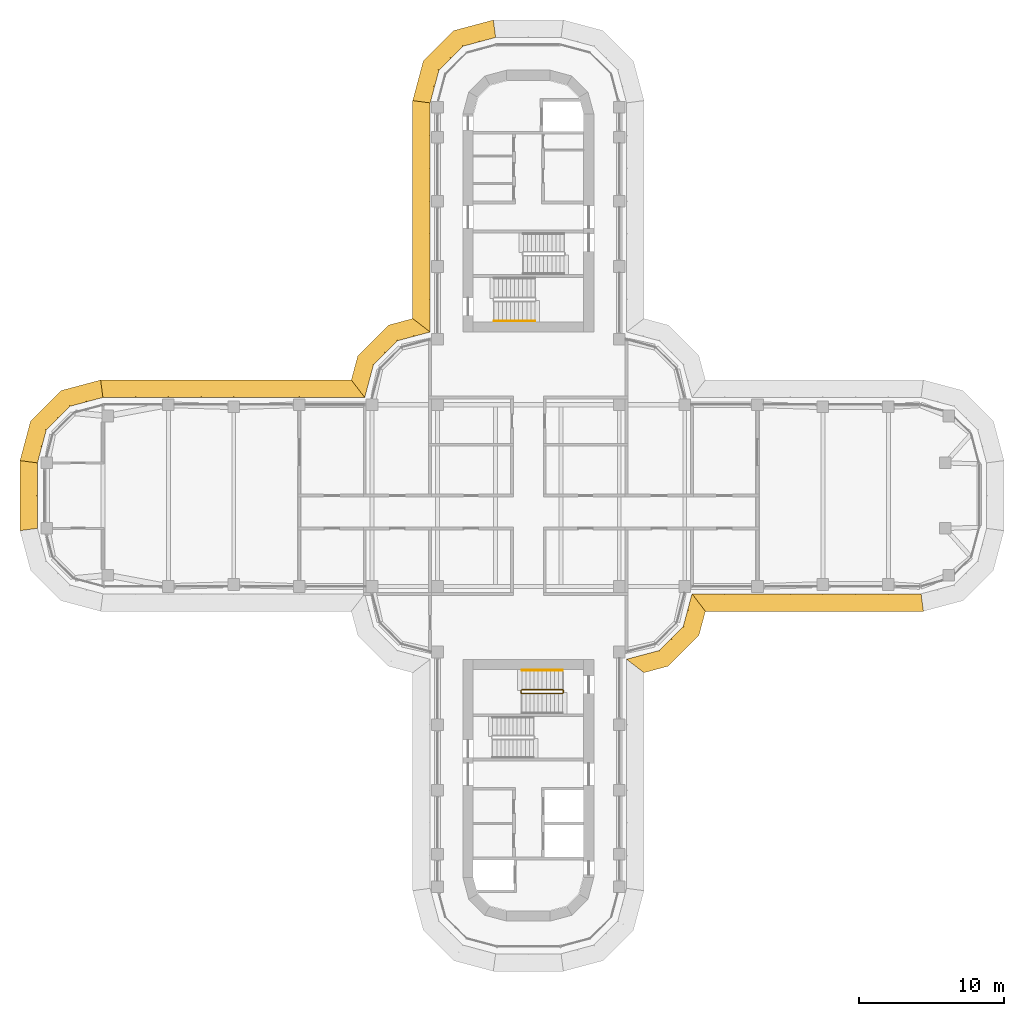
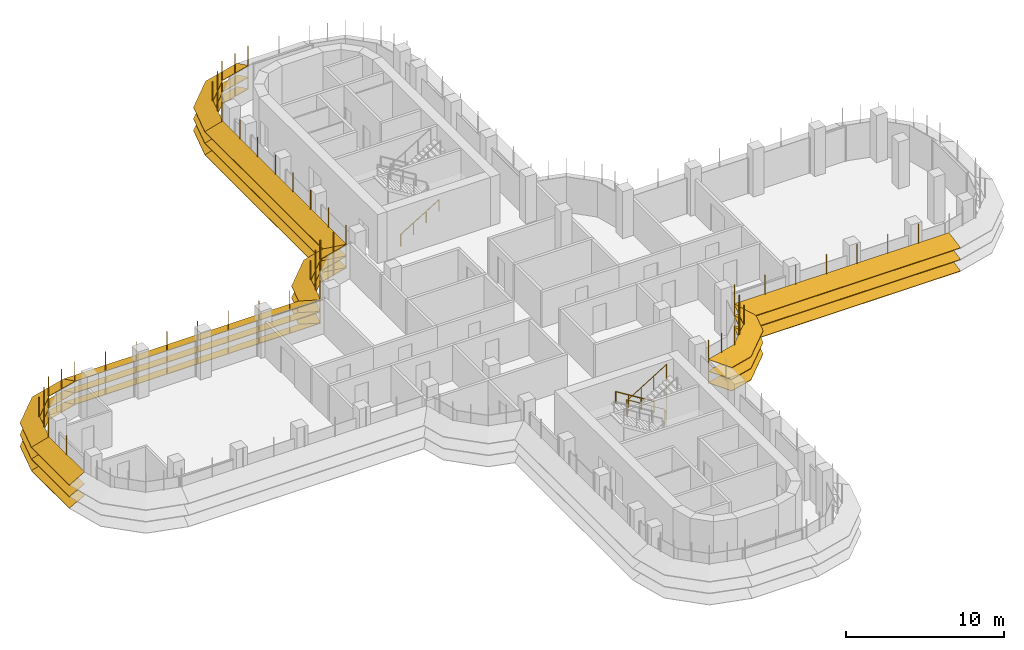
# One storey, part 18 of 20: 8 shading devices, 3 railings.
"""IFC4 building model written with IfcOpenShell, lengths in metres."""

import ifcopenshell
import ifcopenshell.guid

model = None  # the IFC model being written
_history = None  # IfcOwnerHistory: only IFC2X3 demands one
_inside = {}  # id of a spatial element -> (the spatial element, [elements in it])
_under = {}  # id of a project, library or spatial element -> (it, [spatial elements below it])
_declared = {}  # id of a project -> (the project, [libraries it declares])
_typed = {}  # id of a type object -> (the type object, [elements of that type])
_made_of = {}  # id of a material, layer set ... -> (it, [elements and type objects made of it])


def new_model(schema):
    """Start an empty IFC model of exactly this schema.

    Asked for "IFC4X3", IfcOpenShell would pick the latest addendum, in which some entities
    have other attributes; the version numbers below select the first issue.
    IFC2X3 requires an IfcOwnerHistory on every rooted entity: one is made here for all.
    """
    global model, _history
    if schema == "IFC4X3":
        model = ifcopenshell.file(schema_version=(4, 3, 0, 0))
    else:
        model = ifcopenshell.file(schema=schema)
    _inside.clear()
    _under.clear()
    _declared.clear()
    _typed.clear()
    _made_of.clear()
    _history = None
    if model.schema == "IFC2X3":
        org = make("IfcOrganization", Name="unknown")
        user = make(
            "IfcPersonAndOrganization",
            ThePerson=make("IfcPerson", FamilyName="unknown"),
            TheOrganization=org,
        )
        app = make(
            "IfcApplication",
            ApplicationDeveloper=org,
            Version="unknown",
            ApplicationFullName="unknown",
            ApplicationIdentifier="unknown",
        )
        _history = make(
            "IfcOwnerHistory",
            OwningUser=user,
            OwningApplication=app,
            ChangeAction="ADDED",
            CreationDate=0,
        )
    return model


def make(cls, **values):
    """One entity of the class cls with the attributes given. An attribute that is None is left unset."""
    return model.create_entity(
        cls, **{name: value for name, value in values.items() if value is not None}
    )


def rooted(cls, **values):
    """An entity with a GlobalId (a new one), such as an element, a storey or a relation."""
    return make(cls, GlobalId=ifcopenshell.guid.new(), OwnerHistory=_history, **values)


def si_unit(unit_type, name, prefix=None):
    """IfcSIUnit, for example si_unit("LENGTHUNIT", "METRE", prefix="MILLI")."""
    return make("IfcSIUnit", UnitType=unit_type, Prefix=prefix, Name=name)


def assignment(units):
    """IfcUnitAssignment: the units of a project."""
    return None if units is None else make("IfcUnitAssignment", Units=units)


def point(xyz):
    """IfcCartesianPoint."""
    return None if xyz is None else make("IfcCartesianPoint", Coordinates=xyz)


def direction(xyz):
    """IfcDirection."""
    return None if xyz is None else make("IfcDirection", DirectionRatios=xyz)


def frame(location, z_axis=None, x_axis=None):
    """IfcAxis2Placement3D, a coordinate frame: its origin and axes. An axis left out is left unset."""
    return make(
        "IfcAxis2Placement3D",
        Location=point(location),
        Axis=direction(z_axis),
        RefDirection=direction(x_axis),
    )


def frame_2d(location, x_axis=None):
    """IfcAxis2Placement2D, a coordinate frame in the plane: its origin and x axis."""
    return make(
        "IfcAxis2Placement2D", Location=point(location), RefDirection=direction(x_axis)
    )


def origin():
    """The frame at (0, 0, 0) with its axes left unset."""
    return frame((0.0, 0.0, 0.0))


def origin_2d():
    """The frame at (0, 0) in the plane with its x axis left unset."""
    return frame_2d((0.0, 0.0))


def place(relative_to, where):
    """IfcLocalPlacement: puts the frame where relative to a parent placement (None: the world)."""
    return make(
        "IfcLocalPlacement", PlacementRelTo=relative_to, RelativePlacement=where
    )


def context(
    kind, dimensions, precision=None, world=None, true_north=None, identifier=None
):
    """IfcGeometricRepresentationContext, for example the 3D "Model" context."""
    return make(
        "IfcGeometricRepresentationContext",
        ContextIdentifier=identifier,
        ContextType=kind,
        CoordinateSpaceDimension=dimensions,
        Precision=precision,
        WorldCoordinateSystem=world,
        TrueNorth=true_north,
    )


def subcontext(parent, identifier, kind, view, scale=None):
    """IfcGeometricRepresentationSubContext, for example "Body" below "Model"."""
    return make(
        "IfcGeometricRepresentationSubContext",
        ContextIdentifier=identifier,
        ContextType=kind,
        ParentContext=parent,
        TargetScale=scale,
        TargetView=view,
    )


def project(units=None, contexts=None):
    """IfcProject with its units and contexts."""
    return rooted(
        "IfcProject",
        Name="project",
        RepresentationContexts=contexts,
        UnitsInContext=assignment(units),
    )


def spatial(cls, under=None, at=None, **own):
    """A site, building, storey or space (cls), placed at a placement, below another one or the project."""
    s = rooted(cls, ObjectPlacement=at, **own)
    if under is not None:
        _under.setdefault(under.id(), (under, []))[1].append(s)
    return s


def polyline(points):
    """IfcPolyline through the points."""
    return make("IfcPolyline", Points=[point(p) for p in points])


def profile(cls, at=None, kind="AREA", **sizes):
    """A parametric profile (cls). Its sizes go by their IFC names, for example OverallWidth=200.0."""
    return make(cls, ProfileType=kind, Position=at, **sizes)


def circle(**sizes):
    """IfcCircleProfileDef."""
    return profile("IfcCircleProfileDef", **sizes)


def outline(outer, holes=None, kind="AREA"):
    """IfcArbitraryClosedProfileDef: a profile drawn as a closed curve; with holes, ...WithVoids."""
    if holes is None:
        return make("IfcArbitraryClosedProfileDef", ProfileType=kind, OuterCurve=outer)
    return make(
        "IfcArbitraryProfileDefWithVoids",
        ProfileType=kind,
        OuterCurve=outer,
        InnerCurves=holes,
    )


def extrude(swept, where, along, depth):
    """IfcExtrudedAreaSolid: the profile swept, set in the frame where, extruded along a direction by depth."""
    return make(
        "IfcExtrudedAreaSolid",
        SweptArea=swept,
        Position=where,
        ExtrudedDirection=direction(along),
        Depth=depth,
    )


def faces_of(points, faces, orient=None, outer=None):
    """IfcFace entities. A face is a list of loops; a loop is a list of indices into points, from 0.

    orient and outer hold one flag for each loop. By default every Orientation is true, the
    first loop of a face is its IfcFaceOuterBound and the others are IfcFaceBound.
    """
    made = []
    for i, loops in enumerate(faces):
        bounds = []
        for j, loop in enumerate(loops):
            is_outer = j == 0 if outer is None else outer[i][j]
            bounds.append(
                make(
                    "IfcFaceOuterBound" if is_outer else "IfcFaceBound",
                    Bound=make("IfcPolyLoop", Polygon=[points[k] for k in loop]),
                    Orientation=True if orient is None else orient[i][j],
                )
            )
        made.append(make("IfcFace", Bounds=bounds))
    return made


def faceted_brep(points, faces, orient=None, outer=None, voids=None):
    """IfcFacetedBrep: a solid bounded by flat faces; with voids (closed shells), ...WithVoids."""
    shared = [point(p) for p in points]
    hull = make("IfcClosedShell", CfsFaces=faces_of(shared, faces, orient, outer))
    if voids is None:
        return make("IfcFacetedBrep", Outer=hull)
    return make(
        "IfcFacetedBrepWithVoids",
        Outer=hull,
        Voids=[
            make(cls, CfsFaces=faces_of(shared, fs, o, b)) for cls, fs, o, b in voids
        ],
    )


def shape(context_of_items, identifier, shape_type, items):
    """IfcShapeRepresentation: the items that make up one representation, for example the "Body"."""
    return make(
        "IfcShapeRepresentation",
        ContextOfItems=context_of_items,
        RepresentationIdentifier=identifier,
        RepresentationType=shape_type,
        Items=items,
    )


def source(mapping_origin, context_of_items, identifier, shape_type, items):
    """IfcRepresentationMap: a shape defined once, which mapped items show again and again."""
    return make(
        "IfcRepresentationMap",
        MappingOrigin=mapping_origin,
        MappedRepresentation=shape(context_of_items, identifier, shape_type, items),
    )


def transform(
    local_origin,
    x_axis=None,
    y_axis=None,
    z_axis=None,
    scale=None,
    scale2=None,
    scale3=None,
    uniform=True,
):
    """IfcCartesianTransformationOperator3D, or its non-uniform kind. x_axis, y_axis, z_axis: its Axis1, 2, 3."""
    if uniform:
        return make(
            "IfcCartesianTransformationOperator3D",
            Axis1=direction(x_axis),
            Axis2=direction(y_axis),
            LocalOrigin=point(local_origin),
            Scale=scale,
            Axis3=direction(z_axis),
        )
    return make(
        "IfcCartesianTransformationOperator3DnonUniform",
        Axis1=direction(x_axis),
        Axis2=direction(y_axis),
        LocalOrigin=point(local_origin),
        Scale=scale,
        Axis3=direction(z_axis),
        Scale2=scale2,
        Scale3=scale3,
    )


def mapped(mapping_source, mapping_target):
    """IfcMappedItem: shows the shape of a source again, moved by a transform."""
    return make(
        "IfcMappedItem", MappingSource=mapping_source, MappingTarget=mapping_target
    )


def material(Name=None, Category=None):
    """IfcMaterial."""
    return make("IfcMaterial", Name=Name, Category=Category)


def made_of(thing, what):
    """Note that an element or type object is made of a material, layer set ...; save() writes the relation."""
    if what is not None:
        _made_of.setdefault(what.id(), (what, []))[1].append(thing)
    return thing


def type_object(cls, material=None, **own):
    """A type object (cls), such as IfcWallType, which elements share."""
    return made_of(rooted(cls, **own), material)


def element(
    cls,
    number,
    at=None,
    inside=None,
    cuts=None,
    type_object=None,
    material=None,
    context=None,
    identifier="Body",
    shape_type=None,
    held_by="IfcProductDefinitionShape",
    body=None,
    shapes=None,
    **own,
):
    """One element of the class cls, such as IfcWall. Its Tag is "e" and its number.

    at: its placement. inside: the storey or other place that contains it. cuts: it is an
    opening in that element (IfcRelVoidsElement). A single representation is given by context,
    identifier, shape_type and body (its items); several are given by shapes. held_by: the class
    of the entity that holds the representations. save() writes the other relations.
    """
    e = rooted(cls, Tag="e%d" % number, ObjectPlacement=at, **own)
    if body is not None:
        shapes = [shape(context, identifier, shape_type, body)]
    if shapes is not None:
        e.Representation = make(held_by, Representations=shapes)
    if inside is not None:
        _inside.setdefault(inside.id(), (inside, []))[1].append(e)
    if cuts is not None:
        rooted(
            "IfcRelVoidsElement", RelatingBuildingElement=cuts, RelatedOpeningElement=e
        )
    if type_object is not None:
        _typed.setdefault(type_object.id(), (type_object, []))[1].append(e)
    return made_of(e, material)


def aggregate(whole, parts):
    """IfcRelAggregates: a whole, such as a stair, and the parts it consists of."""
    return rooted("IfcRelAggregates", RelatingObject=whole, RelatedObjects=parts)


def save(model, path):
    """Write the relations noted so far, then the file.

    IfcRelAggregates (storeys below a building ...), IfcRelContainedInSpatialStructure (elements
    in a storey), IfcRelDefinesByType, IfcRelAssociatesMaterial and IfcRelDeclares: one each for
    every whole, place, type object, material and project.
    """
    for whole, parts in _under.values():
        aggregate(whole, parts)
    for where, things in _inside.values():
        rooted(
            "IfcRelContainedInSpatialStructure",
            RelatedElements=things,
            RelatingStructure=where,
        )
    for kind, things in _typed.values():
        rooted("IfcRelDefinesByType", RelatedObjects=things, RelatingType=kind)
    for what, things in _made_of.values():
        rooted("IfcRelAssociatesMaterial", RelatedObjects=things, RelatingMaterial=what)
    for by, libraries in _declared.values():
        rooted("IfcRelDeclares", RelatingContext=by, RelatedDefinitions=libraries)
    model.write(path)


model = new_model("IFC4")

# Units and contexts
model_context = context("Model", 3, precision=1e-05, world=origin(), true_north=direction((0.0, 1.0)))
body_context = subcontext(model_context, "Body", "Model", "MODEL_VIEW")
ifc_project = project(units=[si_unit("LENGTHUNIT", "METRE"), si_unit("AREAUNIT", "SQUARE_METRE"), si_unit("VOLUMEUNIT", "CUBIC_METRE"), si_unit("PLANEANGLEUNIT", "RADIAN"), si_unit("MASSUNIT", "GRAM", prefix="KILO")], contexts=[model_context])

# Site, building, storey
site_placement = place(None, origin())
site = spatial("IfcSite", under=ifc_project, at=site_placement, CompositionType="ELEMENT")
building_placement = place(site_placement, origin())
building = spatial("IfcBuilding", under=site, at=building_placement, Name="Zarbagh Exchange Tower", CompositionType="ELEMENT")
storey_placement = place(building_placement, frame((0.0, 0.0, 163.800048828125)))
storey = spatial("IfcBuildingStorey", under=building, at=storey_placement, Name="L39", CompositionType="ELEMENT", Elevation=163.800048828125)

# Railings
ifc_material_1 = material(Name="Stainless steel", Category="steel")
railing_type_1 = type_object("IfcRailingType", Name="Stair guard 1100 mm", PredefinedType="GUARDRAIL", material=ifc_material_1)
railing_1_placement = place(storey_placement, frame((-0.5, -13.39990234375, 1.89990234375)))
element("IfcRailing", 1, at=railing_1_placement, inside=storey, type_object=railing_type_1, Name="ST4 stair guard 1", PredefinedType="GUARDRAIL", context=body_context, shape_type="SweptSolid", body=[
    extrude(circle(Radius=0.02392578125, at=origin_2d()), frame((0.0, 0.0, 1.076171875), z_axis=(0.0, -1.0, 0.0), x_axis=(1.0, 0.0, 0.0)), (0.0, 0.0, 1.0), 0.150146484375),
    extrude(circle(Radius=0.02392578125, at=origin_2d()), frame((0.0, -0.150146484375, 1.076171875), z_axis=(0.267953482034, -0.267953482034, 0.925419830635), x_axis=(0.707106781187, 0.707106781187, 0.0)), (0.0, 0.0, 1.0), 0.186767578125),
    extrude(circle(Radius=0.02392578125, at=origin_2d()), frame((0.050048828125, -0.2001953125, 1.2490234375), z_axis=(0.851089632645, 0.0, 0.525020415988), x_axis=(0.0, 1.0, 0.0)), (0.0, 0.0, 1.0), 3.2900390625),
    extrude(circle(Radius=0.02392578125, at=origin_2d()), frame((2.85009765625, -0.2001953125, 2.97607421875), z_axis=(0.013104066473, 0.013168302093, -0.99982742474), x_axis=(-0.708833529934, 0.705375805398, 0.0)), (0.0, 0.0, 1.0), 3.80078125),
    extrude(circle(Radius=0.02392578125, at=origin_2d()), frame((2.89990234375, -0.150146484375, -0.82373046875), z_axis=(0.0, 1.0, 0.0), x_axis=(-1.0, 0.0, 0.0)), (0.0, 0.0, 1.0), 0.150146484375),
    extrude(circle(Radius=0.02392578125, at=origin_2d()), frame((2.89990234375, 0.0, -0.82373046875), z_axis=(-0.26715648603, 0.26715648603, 0.925880566782), x_axis=(-0.707106781187, -0.707106781187, 0.0)), (0.0, 0.0, 1.0), 0.1865234375),
    extrude(circle(Radius=0.02392578125, at=origin_2d()), frame((2.85009765625, 0.0498046875, -0.6513671875), z_axis=(-0.851089632645, 0.0, 0.525020415988), x_axis=(0.0, -1.0, 0.0)), (0.0, 0.0, 1.0), 3.2900390625),
    extrude(circle(Radius=0.02099609375, at=origin_2d()), origin(), (0.0, 0.0, 1.0), 1.052001953125),
    extrude(circle(Radius=0.02099609375, at=origin_2d()), frame((0.0, -0.150146484375, 0.0)), (0.0, 0.0, 1.0), 1.052001953125),
    extrude(circle(Radius=0.02099609375, at=origin_2d()), frame((0.050048828125, -0.2001953125, 0.1728515625)), (0.0, 0.0, 1.0), 1.052001953125),
    extrude(circle(Radius=0.02099609375, at=origin_2d()), frame((0.9833984375, -0.2001953125, 0.74853515625)), (0.0, 0.0, 1.0), 1.052001953125),
    extrude(circle(Radius=0.02099609375, at=origin_2d()), frame((1.916748046875, -0.2001953125, 1.324462890625)), (0.0, 0.0, 1.0), 1.052001953125),
    extrude(circle(Radius=0.02099609375, at=origin_2d()), frame((2.85009765625, -0.2001953125, 1.900146484375)), (0.0, 0.0, 1.0), 1.052001953125),
    extrude(circle(Radius=0.02099609375, at=origin_2d()), frame((2.862548828125, -0.187744140625, 0.9501953125)), (0.0, 0.0, 1.0), 1.052001953125),
    extrude(circle(Radius=0.02099609375, at=origin_2d()), frame((2.875, -0.17529296875, 0.0)), (0.0, 0.0, 1.0), 1.052001953125),
    extrude(circle(Radius=0.02099609375, at=origin_2d()), frame((2.887451171875, -0.16259765625, -0.949951171875)), (0.0, 0.0, 1.0), 1.052001953125),
    extrude(circle(Radius=0.02099609375, at=origin_2d()), frame((2.89990234375, -0.150146484375, -1.89990234375)), (0.0, 0.0, 1.0), 1.052001953125),
    extrude(circle(Radius=0.02099609375, at=origin_2d()), frame((2.89990234375, 0.0, -1.89990234375)), (0.0, 0.0, 1.0), 1.052001953125),
    extrude(circle(Radius=0.02099609375, at=origin_2d()), frame((2.85009765625, 0.0498046875, -1.727294921875)), (0.0, 0.0, 1.0), 1.052001953125),
    extrude(circle(Radius=0.02099609375, at=origin_2d()), frame((1.916748046875, 0.0498046875, -1.151611328125)), (0.0, 0.0, 1.0), 1.052001953125),
    extrude(circle(Radius=0.02099609375, at=origin_2d()), frame((0.9833984375, 0.0498046875, -0.57568359375)), (0.0, 0.0, 1.0), 1.052001953125),
    extrude(circle(Radius=0.02099609375, at=origin_2d()), frame((0.050048828125, 0.0498046875, 0.0)), (0.0, 0.0, 1.0), 1.052001953125),
])
railing_type_2 = type_object("IfcRailingType", Name="Stair handrail 900 mm", PredefinedType="HANDRAIL", material=ifc_material_1)
railing_2_placement = place(storey_placement, frame((-2.35009765625, 12.0, 0.172607421875)))
element("IfcRailing", 2, at=railing_2_placement, inside=storey, type_object=railing_type_2, Name="ST2 stair handrail 1", PredefinedType="HANDRAIL", context=body_context, shape_type="SweptSolid", body=[
    extrude(circle(Radius=0.02392578125, at=origin_2d()), frame((0.0, 0.0, 0.8759765625), z_axis=(0.851089632645, 0.0, 0.525020415988), x_axis=(0.0, 1.0, 0.0)), (0.0, 0.0, 1.0), 3.2900390625),
    extrude(circle(Radius=0.02099609375, at=origin_2d()), origin(), (0.0, 0.0, 1.0), 0.851806640625),
    extrude(circle(Radius=0.02099609375, at=origin_2d()), frame((0.933349609375, 0.0, 0.57568359375)), (0.0, 0.0, 1.0), 0.851806640625),
    extrude(circle(Radius=0.02099609375, at=origin_2d()), frame((1.86669921875, 0.0, 1.151611328125)), (0.0, 0.0, 1.0), 0.851806640625),
    extrude(circle(Radius=0.02099609375, at=origin_2d()), frame((2.800048828125, 0.0, 1.727294921875)), (0.0, 0.0, 1.0), 0.851806640625),
])
railing_3_placement = place(storey_placement, frame((2.35009765625, -12.0, 0.172607421875)))
element("IfcRailing", 3, at=railing_3_placement, inside=storey, type_object=railing_type_2, Name="ST4 stair handrail 1", PredefinedType="HANDRAIL", context=body_context, shape_type="SweptSolid", body=[
    extrude(circle(Radius=0.02392578125, at=origin_2d()), frame((0.0, 0.0, 0.8759765625), z_axis=(-0.851089632645, 0.0, 0.525020415988), x_axis=(0.0, -1.0, 0.0)), (0.0, 0.0, 1.0), 3.2900390625),
    extrude(circle(Radius=0.02099609375, at=origin_2d()), origin(), (0.0, 0.0, 1.0), 0.851806640625),
    extrude(circle(Radius=0.02099609375, at=origin_2d()), frame((-0.933349609375, 0.0, 0.57568359375)), (0.0, 0.0, 1.0), 0.851806640625),
    extrude(circle(Radius=0.02099609375, at=origin_2d()), frame((-1.86669921875, 0.0, 1.151611328125)), (0.0, 0.0, 1.0), 0.851806640625),
    extrude(circle(Radius=0.02099609375, at=origin_2d()), frame((-2.800048828125, 0.0, 1.727294921875)), (0.0, 0.0, 1.0), 0.851806640625),
])

# Shading devices
ifc_material_2 = material(Name="Anodised aluminium blades and brackets", Category="aluminium")
shading_device_type = type_object("IfcShadingDeviceType", Name="SUNSHADE louvre band, 22.5 degree blades", PredefinedType="JALOUSIE", material=ifc_material_2)
shared_shape_1 = source(origin(), body_context, "Body", "Brep", [
    faceted_brep([(0.0, 0.0, 0.0), (0.0, 0.0, -0.043212890625), (-0.157958984375, -1.199951171875, -0.540283203125), (-0.157958984375, -1.199951171875, -0.4970703125), (2.65087890625, -1.199951171875, -0.4970703125), (2.65087890625, -1.199951171875, -0.540283203125), (2.329345703125, 0.0, -0.043212890625), (2.329345703125, 0.0, 0.0)], [[[0, 1, 2, 3]], [[4, 5, 6, 7]], [[0, 7, 6, 1]], [[1, 6, 5, 2]], [[2, 5, 4, 3]], [[3, 4, 7, 0]]]),
])
shared_shape_2 = source(origin(), body_context, "Body", "Brep", [
    faceted_brep([(0.0, 0.0, 0.0), (0.0, 0.0, -0.043212890625), (-0.321533203125, -1.199951171875, -0.540283203125), (-0.321533203125, -1.199951171875, -0.4970703125), (2.65087890625, -1.199951171875, -0.4970703125), (2.65087890625, -1.199951171875, -0.540283203125), (2.329345703125, 0.0, -0.043212890625), (2.329345703125, 0.0, 0.0)], [[[0, 1, 2, 3]], [[4, 5, 6, 7]], [[0, 7, 6, 1]], [[1, 6, 5, 2]], [[2, 5, 4, 3]], [[3, 4, 7, 0]]]),
])
shared_shape_3 = source(origin(), body_context, "Body", "Brep", [
    faceted_brep([(0.0, 0.0, 0.0), (0.0, 0.0, -0.043212890625), (-0.321533203125, -1.199951171875, -0.540283203125), (-0.321533203125, -1.199951171875, -0.4970703125), (2.4873046875, -1.199951171875, -0.4970703125), (2.4873046875, -1.199951171875, -0.540283203125), (2.329345703125, 0.0, -0.043212890625), (2.329345703125, 0.0, 0.0)], [[[0, 1, 2, 3]], [[4, 5, 6, 7]], [[0, 7, 6, 1]], [[1, 6, 5, 2]], [[2, 5, 4, 3]], [[3, 4, 7, 0]]]),
])
shared_shape_4 = source(origin(), body_context, "Body", "SweptSolid", [
    extrude(outline(polyline([(0.0, -0.012451171875), (0.06005859375, -0.012451171875), (0.06005859375, 0.012451171875), (0.0, 0.012451171875), (0.0, -0.012451171875)])), origin(), (0.0, 0.0, 1.0), 3.353271484375),
])
placement = place(storey_placement, origin())
element("IfcShadingDevice", 4, at=placement, inside=storey, type_object=shading_device_type, Name="SS28 sunshade band", PredefinedType="JALOUSIE", context=body_context, shape_type="MappedRepresentation", body=[
    mapped(shared_shape_1, transform((-2.25, 31.5, 2.300048828125), x_axis=(-0.965924289636, -0.258824779902, 0.0), y_axis=(0.258824779902, -0.965924289636, 0.0), z_axis=(0.0, 0.0, 1.0))),
    mapped(shared_shape_1, transform((-2.25, 31.5, 1.39990234375), x_axis=(-0.965924289636, -0.258824779902, 0.0), y_axis=(0.258824779902, -0.965924289636, 0.0), z_axis=(0.0, 0.0, 1.0))),
    mapped(shared_shape_1, transform((-2.25, 31.5, 0.5), x_axis=(-0.965924289636, -0.258824779902, 0.0), y_axis=(0.258824779902, -0.965924289636, 0.0), z_axis=(0.0, 0.0, 1.0))),
    mapped(shared_shape_2, transform((-4.5, 30.897216796875, 2.300048828125), x_axis=(-0.707106781187, -0.707106781187, 0.0), y_axis=(0.707106781187, -0.707106781187, 0.0), z_axis=(0.0, 0.0, 1.0))),
    mapped(shared_shape_2, transform((-4.5, 30.897216796875, 1.39990234375), x_axis=(-0.707106781187, -0.707106781187, 0.0), y_axis=(0.707106781187, -0.707106781187, 0.0), z_axis=(0.0, 0.0, 1.0))),
    mapped(shared_shape_2, transform((-4.5, 30.897216796875, 0.5), x_axis=(-0.707106781187, -0.707106781187, 0.0), y_axis=(0.707106781187, -0.707106781187, 0.0), z_axis=(0.0, 0.0, 1.0))),
    mapped(shared_shape_3, transform((-6.147216796875, 29.25, 2.300048828125), x_axis=(-0.258824779902, -0.965924289636, 0.0), y_axis=(0.965924289636, -0.258824779902, 0.0), z_axis=(0.0, 0.0, 1.0))),
    mapped(shared_shape_3, transform((-6.147216796875, 29.25, 1.39990234375), x_axis=(-0.258824779902, -0.965924289636, 0.0), y_axis=(0.965924289636, -0.258824779902, 0.0), z_axis=(0.0, 0.0, 1.0))),
    mapped(shared_shape_3, transform((-6.147216796875, 29.25, 0.5), x_axis=(-0.258824779902, -0.965924289636, 0.0), y_axis=(0.965924289636, -0.258824779902, 0.0), z_axis=(0.0, 0.0, 1.0))),
    mapped(shared_shape_4, transform((-2.25, 31.5, 0.4267578125), x_axis=(-0.130529263012, 0.991444457092, 0.0), y_axis=(-0.991444457092, -0.130529263012, 0.0), z_axis=(0.0, 0.0, 1.0))),
    mapped(shared_shape_4, transform((-3.375, 31.198486328125, 0.4267578125), x_axis=(-0.258825058029, 0.96592421511, 0.0), y_axis=(-0.96592421511, -0.258825058029, 0.0), z_axis=(0.0, 0.0, 1.0))),
    mapped(shared_shape_4, transform((-4.5, 30.897216796875, 0.4267578125), x_axis=(-0.50000275701, 0.866023812018, 0.0), y_axis=(-0.866023812018, -0.50000275701, 0.0), z_axis=(0.0, 0.0, 1.0))),
    mapped(shared_shape_4, transform((-5.323486328125, 30.073486328125, 0.4267578125), x_axis=(-0.707106781187, 0.707106781187, 0.0), y_axis=(-0.707106781187, -0.707106781187, 0.0), z_axis=(0.0, 0.0, 1.0))),
    mapped(shared_shape_4, transform((-6.147216796875, 29.25, 0.4267578125), x_axis=(-0.866023812018, 0.50000275701, 0.0), y_axis=(-0.50000275701, -0.866023812018, 0.0), z_axis=(0.0, 0.0, 1.0))),
    mapped(shared_shape_4, transform((-6.448486328125, 28.125, 0.4267578125), x_axis=(-0.96592421511, 0.258825058029, 0.0), y_axis=(-0.258825058029, -0.96592421511, 0.0), z_axis=(0.0, 0.0, 1.0))),
])
element("IfcShadingDevice", 5, at=placement, inside=storey, type_object=shading_device_type, Name="SS17 sunshade band", PredefinedType="JALOUSIE", context=body_context, shape_type="MappedRepresentation", body=[
    mapped(shared_shape_1, transform((-29.25, 6.75, 2.300048828125), x_axis=(-0.965924289636, -0.258824779902, 0.0), y_axis=(0.258824779902, -0.965924289636, 0.0), z_axis=(0.0, 0.0, 1.0))),
    mapped(shared_shape_1, transform((-29.25, 6.75, 1.39990234375), x_axis=(-0.965924289636, -0.258824779902, 0.0), y_axis=(0.258824779902, -0.965924289636, 0.0), z_axis=(0.0, 0.0, 1.0))),
    mapped(shared_shape_1, transform((-29.25, 6.75, 0.5), x_axis=(-0.965924289636, -0.258824779902, 0.0), y_axis=(0.258824779902, -0.965924289636, 0.0), z_axis=(0.0, 0.0, 1.0))),
    mapped(shared_shape_2, transform((-31.5, 6.147216796875, 2.300048828125), x_axis=(-0.707106781187, -0.707106781187, 0.0), y_axis=(0.707106781187, -0.707106781187, 0.0), z_axis=(0.0, 0.0, 1.0))),
    mapped(shared_shape_2, transform((-31.5, 6.147216796875, 1.39990234375), x_axis=(-0.707106781187, -0.707106781187, 0.0), y_axis=(0.707106781187, -0.707106781187, 0.0), z_axis=(0.0, 0.0, 1.0))),
    mapped(shared_shape_2, transform((-31.5, 6.147216796875, 0.5), x_axis=(-0.707106781187, -0.707106781187, 0.0), y_axis=(0.707106781187, -0.707106781187, 0.0), z_axis=(0.0, 0.0, 1.0))),
    mapped(shared_shape_3, transform((-33.147216796875, 4.5, 2.300048828125), x_axis=(-0.258824779902, -0.965924289636, 0.0), y_axis=(0.965924289636, -0.258824779902, 0.0), z_axis=(0.0, 0.0, 1.0))),
    mapped(shared_shape_3, transform((-33.147216796875, 4.5, 1.39990234375), x_axis=(-0.258824779902, -0.965924289636, 0.0), y_axis=(0.965924289636, -0.258824779902, 0.0), z_axis=(0.0, 0.0, 1.0))),
    mapped(shared_shape_3, transform((-33.147216796875, 4.5, 0.5), x_axis=(-0.258824779902, -0.965924289636, 0.0), y_axis=(0.965924289636, -0.258824779902, 0.0), z_axis=(0.0, 0.0, 1.0))),
    mapped(shared_shape_4, transform((-29.25, 6.75, 0.4267578125), x_axis=(-0.130529263012, 0.991444457092, 0.0), y_axis=(-0.991444457092, -0.130529263012, 0.0), z_axis=(0.0, 0.0, 1.0))),
    mapped(shared_shape_4, transform((-30.375, 6.448486328125, 0.4267578125), x_axis=(-0.258825058029, 0.96592421511, 0.0), y_axis=(-0.96592421511, -0.258825058029, 0.0), z_axis=(0.0, 0.0, 1.0))),
    mapped(shared_shape_4, transform((-31.5, 6.147216796875, 0.4267578125), x_axis=(-0.50000275701, 0.866023812018, 0.0), y_axis=(-0.866023812018, -0.50000275701, 0.0), z_axis=(0.0, 0.0, 1.0))),
    mapped(shared_shape_4, transform((-32.323486328125, 5.323486328125, 0.4267578125), x_axis=(-0.707106781187, 0.707106781187, 0.0), y_axis=(-0.707106781187, -0.707106781187, 0.0), z_axis=(0.0, 0.0, 1.0))),
    mapped(shared_shape_4, transform((-33.147216796875, 4.5, 0.4267578125), x_axis=(-0.866023812018, 0.50000275701, 0.0), y_axis=(-0.50000275701, -0.866023812018, 0.0), z_axis=(0.0, 0.0, 1.0))),
    mapped(shared_shape_4, transform((-33.448486328125, 3.375, 0.4267578125), x_axis=(-0.96592421511, 0.258825058029, 0.0), y_axis=(-0.258825058029, -0.96592421511, 0.0), z_axis=(0.0, 0.0, 1.0))),
])
shared_shape_5 = source(origin(), body_context, "Body", "Brep", [
    faceted_brep([(0.0, 0.0, 0.0), (0.0, 0.0, -0.043212890625), (0.9208984375, -1.199951171875, -0.540283203125), (0.9208984375, -1.199951171875, -0.4970703125), (2.65087890625, -1.199951171875, -0.4970703125), (2.65087890625, -1.199951171875, -0.540283203125), (2.329345703125, 0.0, -0.043212890625), (2.329345703125, 0.0, 0.0)], [[[0, 1, 2, 3]], [[4, 5, 6, 7]], [[0, 7, 6, 1]], [[1, 6, 5, 2]], [[2, 5, 4, 3]], [[3, 4, 7, 0]]]),
])
shared_shape_6 = source(origin(), body_context, "Body", "Brep", [
    faceted_brep([(0.0, 0.0, 0.0), (0.0, 0.0, -0.043212890625), (-0.321533203125, -1.199951171875, -0.540283203125), (-0.321533203125, -1.199951171875, -0.4970703125), (1.40869140625, -1.199951171875, -0.4970703125), (1.40869140625, -1.199951171875, -0.540283203125), (2.329345703125, 0.0, -0.043212890625), (2.329345703125, 0.0, 0.0)], [[[0, 1, 2, 3]], [[4, 5, 6, 7]], [[0, 7, 6, 1]], [[1, 6, 5, 2]], [[2, 5, 4, 3]], [[3, 4, 7, 0]]]),
])
element("IfcShadingDevice", 6, at=placement, inside=storey, type_object=shading_device_type, Name="SS03 sunshade band", PredefinedType="JALOUSIE", context=body_context, shape_type="MappedRepresentation", body=[
    mapped(shared_shape_5, transform((6.75, -11.25, 2.300048828125), x_axis=(0.965924289636, 0.258824779902, 0.0), y_axis=(-0.258824779902, 0.965924289636, 0.0), z_axis=(0.0, 0.0, 1.0))),
    mapped(shared_shape_5, transform((6.75, -11.25, 1.39990234375), x_axis=(0.965924289636, 0.258824779902, 0.0), y_axis=(-0.258824779902, 0.965924289636, 0.0), z_axis=(0.0, 0.0, 1.0))),
    mapped(shared_shape_5, transform((6.75, -11.25, 0.5), x_axis=(0.965924289636, 0.258824779902, 0.0), y_axis=(-0.258824779902, 0.965924289636, 0.0), z_axis=(0.0, 0.0, 1.0))),
    mapped(shared_shape_2, transform((9.0, -10.647216796875, 2.300048828125), x_axis=(0.707106781187, 0.707106781187, 0.0), y_axis=(-0.707106781187, 0.707106781187, 0.0), z_axis=(0.0, 0.0, 1.0))),
    mapped(shared_shape_2, transform((9.0, -10.647216796875, 1.39990234375), x_axis=(0.707106781187, 0.707106781187, 0.0), y_axis=(-0.707106781187, 0.707106781187, 0.0), z_axis=(0.0, 0.0, 1.0))),
    mapped(shared_shape_2, transform((9.0, -10.647216796875, 0.5), x_axis=(0.707106781187, 0.707106781187, 0.0), y_axis=(-0.707106781187, 0.707106781187, 0.0), z_axis=(0.0, 0.0, 1.0))),
    mapped(shared_shape_6, transform((10.647216796875, -9.0, 2.300048828125), x_axis=(0.258824779902, 0.965924289636, 0.0), y_axis=(-0.965924289636, 0.258824779902, 0.0), z_axis=(0.0, 0.0, 1.0))),
    mapped(shared_shape_6, transform((10.647216796875, -9.0, 1.39990234375), x_axis=(0.258824779902, 0.965924289636, 0.0), y_axis=(-0.965924289636, 0.258824779902, 0.0), z_axis=(0.0, 0.0, 1.0))),
    mapped(shared_shape_6, transform((10.647216796875, -9.0, 0.5), x_axis=(0.258824779902, 0.965924289636, 0.0), y_axis=(-0.965924289636, 0.258824779902, 0.0), z_axis=(0.0, 0.0, 1.0))),
    mapped(shared_shape_4, transform((6.75, -11.25, 0.4267578125), x_axis=(0.793355287, -0.608758892, 0.0), y_axis=(0.608758892, 0.793355287, 0.0), z_axis=(0.0, 0.0, 1.0))),
    mapped(shared_shape_4, transform((7.875, -10.948486328125, 0.4267578125), x_axis=(0.258825058029, -0.96592421511, 0.0), y_axis=(0.96592421511, 0.258825058029, 0.0), z_axis=(0.0, 0.0, 1.0))),
    mapped(shared_shape_4, transform((9.0, -10.647216796875, 0.4267578125), x_axis=(0.50000275701, -0.866023812018, 0.0), y_axis=(0.866023812018, 0.50000275701, 0.0), z_axis=(0.0, 0.0, 1.0))),
    mapped(shared_shape_4, transform((9.823486328125, -9.823486328125, 0.4267578125), x_axis=(0.707106781187, -0.707106781187, 0.0), y_axis=(0.707106781187, 0.707106781187, 0.0), z_axis=(0.0, 0.0, 1.0))),
    mapped(shared_shape_4, transform((10.647216796875, -9.0, 0.4267578125), x_axis=(0.866023812018, -0.50000275701, 0.0), y_axis=(0.50000275701, 0.866023812018, 0.0), z_axis=(0.0, 0.0, 1.0))),
    mapped(shared_shape_4, transform((10.948486328125, -7.875, 0.4267578125), x_axis=(0.96592421511, -0.258825058029, 0.0), y_axis=(0.258825058029, 0.96592421511, 0.0), z_axis=(0.0, 0.0, 1.0))),
])
element("IfcShadingDevice", 7, at=placement, inside=storey, type_object=shading_device_type, Name="SS15 sunshade band", PredefinedType="JALOUSIE", context=body_context, shape_type="MappedRepresentation", body=[
    mapped(shared_shape_5, transform((-6.75, 11.25, 2.300048828125), x_axis=(-0.965924289636, -0.258824779902, 0.0), y_axis=(0.258824779902, -0.965924289636, 0.0), z_axis=(0.0, 0.0, 1.0))),
    mapped(shared_shape_5, transform((-6.75, 11.25, 1.39990234375), x_axis=(-0.965924289636, -0.258824779902, 0.0), y_axis=(0.258824779902, -0.965924289636, 0.0), z_axis=(0.0, 0.0, 1.0))),
    mapped(shared_shape_5, transform((-6.75, 11.25, 0.5), x_axis=(-0.965924289636, -0.258824779902, 0.0), y_axis=(0.258824779902, -0.965924289636, 0.0), z_axis=(0.0, 0.0, 1.0))),
    mapped(shared_shape_2, transform((-9.0, 10.647216796875, 2.300048828125), x_axis=(-0.707106781187, -0.707106781187, 0.0), y_axis=(0.707106781187, -0.707106781187, 0.0), z_axis=(0.0, 0.0, 1.0))),
    mapped(shared_shape_2, transform((-9.0, 10.647216796875, 1.39990234375), x_axis=(-0.707106781187, -0.707106781187, 0.0), y_axis=(0.707106781187, -0.707106781187, 0.0), z_axis=(0.0, 0.0, 1.0))),
    mapped(shared_shape_2, transform((-9.0, 10.647216796875, 0.5), x_axis=(-0.707106781187, -0.707106781187, 0.0), y_axis=(0.707106781187, -0.707106781187, 0.0), z_axis=(0.0, 0.0, 1.0))),
    mapped(shared_shape_6, transform((-10.647216796875, 9.0, 2.300048828125), x_axis=(-0.258824779902, -0.965924289636, 0.0), y_axis=(0.965924289636, -0.258824779902, 0.0), z_axis=(0.0, 0.0, 1.0))),
    mapped(shared_shape_6, transform((-10.647216796875, 9.0, 1.39990234375), x_axis=(-0.258824779902, -0.965924289636, 0.0), y_axis=(0.965924289636, -0.258824779902, 0.0), z_axis=(0.0, 0.0, 1.0))),
    mapped(shared_shape_6, transform((-10.647216796875, 9.0, 0.5), x_axis=(-0.258824779902, -0.965924289636, 0.0), y_axis=(0.965924289636, -0.258824779902, 0.0), z_axis=(0.0, 0.0, 1.0))),
    mapped(shared_shape_4, transform((-6.75, 11.25, 0.4267578125), x_axis=(-0.793355287, 0.608758892, 0.0), y_axis=(-0.608758892, -0.793355287, 0.0), z_axis=(0.0, 0.0, 1.0))),
    mapped(shared_shape_4, transform((-7.875, 10.948486328125, 0.4267578125), x_axis=(-0.258825058029, 0.96592421511, 0.0), y_axis=(-0.96592421511, -0.258825058029, 0.0), z_axis=(0.0, 0.0, 1.0))),
    mapped(shared_shape_4, transform((-9.0, 10.647216796875, 0.4267578125), x_axis=(-0.50000275701, 0.866023812018, 0.0), y_axis=(-0.866023812018, -0.50000275701, 0.0), z_axis=(0.0, 0.0, 1.0))),
    mapped(shared_shape_4, transform((-9.823486328125, 9.823486328125, 0.4267578125), x_axis=(-0.707106781187, 0.707106781187, 0.0), y_axis=(-0.707106781187, -0.707106781187, 0.0), z_axis=(0.0, 0.0, 1.0))),
    mapped(shared_shape_4, transform((-10.647216796875, 9.0, 0.4267578125), x_axis=(-0.866023812018, 0.50000275701, 0.0), y_axis=(-0.50000275701, -0.866023812018, 0.0), z_axis=(0.0, 0.0, 1.0))),
    mapped(shared_shape_4, transform((-10.948486328125, 7.875, 0.4267578125), x_axis=(-0.96592421511, 0.258825058029, 0.0), y_axis=(-0.258825058029, -0.96592421511, 0.0), z_axis=(0.0, 0.0, 1.0))),
])
shared_shape_7 = source(origin(), body_context, "Body", "Brep", [
    faceted_brep([(0.0, 0.0, 0.0), (0.0, 0.0, -0.043212890625), (0.9208984375, -1.199951171875, -0.540283203125), (0.9208984375, -1.199951171875, -0.4970703125), (15.907958984375, -1.199951171875, -0.4970703125), (15.907958984375, -1.199951171875, -0.540283203125), (15.75, 0.0, -0.043212890625), (15.75, 0.0, 0.0)], [[[0, 1, 2, 3]], [[4, 5, 6, 7]], [[0, 7, 6, 1]], [[1, 6, 5, 2]], [[2, 5, 4, 3]], [[3, 4, 7, 0]]]),
])
element("IfcShadingDevice", 8, at=placement, inside=storey, type_object=shading_device_type, Name="SS30 sunshade band", PredefinedType="JALOUSIE", context=body_context, shape_type="MappedRepresentation", body=[
    mapped(shared_shape_7, transform((11.25, -6.75, 2.300048828125), x_axis=(1.0, 0.0, 0.0), y_axis=(0.0, 1.0, 0.0), z_axis=(0.0, 0.0, 1.0))),
    mapped(shared_shape_7, transform((11.25, -6.75, 1.39990234375), x_axis=(1.0, 0.0, 0.0), y_axis=(0.0, 1.0, 0.0), z_axis=(0.0, 0.0, 1.0))),
    mapped(shared_shape_7, transform((11.25, -6.75, 0.5), x_axis=(1.0, 0.0, 0.0), y_axis=(0.0, 1.0, 0.0), z_axis=(0.0, 0.0, 1.0))),
    mapped(shared_shape_4, transform((11.25, -6.75, 0.4267578125), x_axis=(0.608758892, -0.793355287, 0.0), y_axis=(0.793355287, 0.608758892, 0.0), z_axis=(0.0, 0.0, 1.0))),
    mapped(shared_shape_4, transform((13.5, -6.75, 0.4267578125), x_axis=(0.0, -1.0, 0.0), y_axis=(1.0, 0.0, 0.0), z_axis=(0.0, 0.0, 1.0))),
    mapped(shared_shape_4, transform((15.75, -6.75, 0.4267578125), x_axis=(0.0, -1.0, 0.0), y_axis=(1.0, 0.0, 0.0), z_axis=(0.0, 0.0, 1.0))),
    mapped(shared_shape_4, transform((18.0, -6.75, 0.4267578125), x_axis=(0.0, -1.0, 0.0), y_axis=(1.0, 0.0, 0.0), z_axis=(0.0, 0.0, 1.0))),
    mapped(shared_shape_4, transform((20.25, -6.75, 0.4267578125), x_axis=(0.0, -1.0, 0.0), y_axis=(1.0, 0.0, 0.0), z_axis=(0.0, 0.0, 1.0))),
    mapped(shared_shape_4, transform((22.5, -6.75, 0.4267578125), x_axis=(0.0, -1.0, 0.0), y_axis=(1.0, 0.0, 0.0), z_axis=(0.0, 0.0, 1.0))),
    mapped(shared_shape_4, transform((24.75, -6.75, 0.4267578125), x_axis=(0.0, -1.0, 0.0), y_axis=(1.0, 0.0, 0.0), z_axis=(0.0, 0.0, 1.0))),
])
shared_shape_8 = source(origin(), body_context, "Body", "Brep", [
    faceted_brep([(0.0, 0.0, 0.0), (0.0, 0.0, -0.043212890625), (-0.157958984375, -1.199951171875, -0.540283203125), (-0.157958984375, -1.199951171875, -0.4970703125), (14.8291015625, -1.199951171875, -0.4970703125), (14.8291015625, -1.199951171875, -0.540283203125), (15.75, 0.0, -0.043212890625), (15.75, 0.0, 0.0)], [[[0, 1, 2, 3]], [[4, 5, 6, 7]], [[0, 7, 6, 1]], [[1, 6, 5, 2]], [[2, 5, 4, 3]], [[3, 4, 7, 0]]]),
])
element("IfcShadingDevice", 9, at=placement, inside=storey, type_object=shading_device_type, Name="SS29 sunshade band", PredefinedType="JALOUSIE", context=body_context, shape_type="MappedRepresentation", body=[
    mapped(shared_shape_8, transform((-6.75, 27.0, 2.300048828125), x_axis=(0.0, -1.0, 0.0), y_axis=(1.0, 0.0, 0.0), z_axis=(0.0, 0.0, 1.0))),
    mapped(shared_shape_8, transform((-6.75, 27.0, 1.39990234375), x_axis=(0.0, -1.0, 0.0), y_axis=(1.0, 0.0, 0.0), z_axis=(0.0, 0.0, 1.0))),
    mapped(shared_shape_8, transform((-6.75, 27.0, 0.5), x_axis=(0.0, -1.0, 0.0), y_axis=(1.0, 0.0, 0.0), z_axis=(0.0, 0.0, 1.0))),
    mapped(shared_shape_4, transform((-6.75, 27.0, 0.4267578125), x_axis=(-0.991444457092, 0.130529263012, 0.0), y_axis=(-0.130529263012, -0.991444457092, 0.0), z_axis=(0.0, 0.0, 1.0))),
    mapped(shared_shape_4, transform((-6.75, 24.75, 0.4267578125), x_axis=(-1.0, 0.0, 0.0), y_axis=(0.0, -1.0, 0.0), z_axis=(0.0, 0.0, 1.0))),
    mapped(shared_shape_4, transform((-6.75, 22.5, 0.4267578125), x_axis=(-1.0, 0.0, 0.0), y_axis=(0.0, -1.0, 0.0), z_axis=(0.0, 0.0, 1.0))),
    mapped(shared_shape_4, transform((-6.75, 20.25, 0.4267578125), x_axis=(-1.0, 0.0, 0.0), y_axis=(0.0, -1.0, 0.0), z_axis=(0.0, 0.0, 1.0))),
    mapped(shared_shape_4, transform((-6.75, 18.0, 0.4267578125), x_axis=(-1.0, 0.0, 0.0), y_axis=(0.0, -1.0, 0.0), z_axis=(0.0, 0.0, 1.0))),
    mapped(shared_shape_4, transform((-6.75, 15.75, 0.4267578125), x_axis=(-1.0, 0.0, 0.0), y_axis=(0.0, -1.0, 0.0), z_axis=(0.0, 0.0, 1.0))),
    mapped(shared_shape_4, transform((-6.75, 13.5, 0.4267578125), x_axis=(-1.0, 0.0, 0.0), y_axis=(0.0, -1.0, 0.0), z_axis=(0.0, 0.0, 1.0))),
])
shared_shape_9 = source(origin(), body_context, "Body", "Brep", [
    faceted_brep([(0.0, 0.0, 0.0), (0.0, 0.0, -0.043212890625), (0.9208984375, -1.199951171875, -0.540283203125), (0.9208984375, -1.199951171875, -0.4970703125), (18.157958984375, -1.199951171875, -0.4970703125), (18.157958984375, -1.199951171875, -0.540283203125), (18.0, 0.0, -0.043212890625), (18.0, 0.0, 0.0)], [[[0, 1, 2, 3]], [[4, 5, 6, 7]], [[0, 7, 6, 1]], [[1, 6, 5, 2]], [[2, 5, 4, 3]], [[3, 4, 7, 0]]]),
])
element("IfcShadingDevice", 10, at=placement, inside=storey, type_object=shading_device_type, Name="SS16 sunshade band", PredefinedType="JALOUSIE", context=body_context, shape_type="MappedRepresentation", body=[
    mapped(shared_shape_9, transform((-11.25, 6.75, 2.300048828125), x_axis=(-1.0, 0.0, 0.0), y_axis=(0.0, -1.0, 0.0), z_axis=(0.0, 0.0, 1.0))),
    mapped(shared_shape_9, transform((-11.25, 6.75, 1.39990234375), x_axis=(-1.0, 0.0, 0.0), y_axis=(0.0, -1.0, 0.0), z_axis=(0.0, 0.0, 1.0))),
    mapped(shared_shape_9, transform((-11.25, 6.75, 0.5), x_axis=(-1.0, 0.0, 0.0), y_axis=(0.0, -1.0, 0.0), z_axis=(0.0, 0.0, 1.0))),
    mapped(shared_shape_4, transform((-11.25, 6.75, 0.4267578125), x_axis=(-0.608758892, 0.793355287, 0.0), y_axis=(-0.793355287, -0.608758892, 0.0), z_axis=(0.0, 0.0, 1.0))),
    mapped(shared_shape_4, transform((-13.5, 6.75, 0.4267578125), x_axis=(0.0, 1.0, 0.0), y_axis=(-1.0, 0.0, 0.0), z_axis=(0.0, 0.0, 1.0))),
    mapped(shared_shape_4, transform((-15.75, 6.75, 0.4267578125), x_axis=(0.0, 1.0, 0.0), y_axis=(-1.0, 0.0, 0.0), z_axis=(0.0, 0.0, 1.0))),
    mapped(shared_shape_4, transform((-18.0, 6.75, 0.4267578125), x_axis=(0.0, 1.0, 0.0), y_axis=(-1.0, 0.0, 0.0), z_axis=(0.0, 0.0, 1.0))),
    mapped(shared_shape_4, transform((-20.25, 6.75, 0.4267578125), x_axis=(0.0, 1.0, 0.0), y_axis=(-1.0, 0.0, 0.0), z_axis=(0.0, 0.0, 1.0))),
    mapped(shared_shape_4, transform((-22.5, 6.75, 0.4267578125), x_axis=(0.0, 1.0, 0.0), y_axis=(-1.0, 0.0, 0.0), z_axis=(0.0, 0.0, 1.0))),
    mapped(shared_shape_4, transform((-24.75, 6.75, 0.4267578125), x_axis=(0.0, 1.0, 0.0), y_axis=(-1.0, 0.0, 0.0), z_axis=(0.0, 0.0, 1.0))),
    mapped(shared_shape_4, transform((-27.0, 6.75, 0.4267578125), x_axis=(0.0, 1.0, 0.0), y_axis=(-1.0, 0.0, 0.0), z_axis=(0.0, 0.0, 1.0))),
])
shared_shape_10 = source(origin(), body_context, "Body", "Brep", [
    faceted_brep([(0.0, 0.0, 0.0), (0.0, 0.0, -0.043212890625), (-0.157958984375, -1.199951171875, -0.540283203125), (-0.157958984375, -1.199951171875, -0.4970703125), (4.657958984375, -1.199951171875, -0.4970703125), (4.657958984375, -1.199951171875, -0.540283203125), (4.5, 0.0, -0.043212890625), (4.5, 0.0, 0.0)], [[[0, 1, 2, 3]], [[4, 5, 6, 7]], [[0, 7, 6, 1]], [[1, 6, 5, 2]], [[2, 5, 4, 3]], [[3, 4, 7, 0]]]),
])
element("IfcShadingDevice", 11, at=placement, inside=storey, type_object=shading_device_type, Name="SS18 sunshade band", PredefinedType="JALOUSIE", context=body_context, shape_type="MappedRepresentation", body=[
    mapped(shared_shape_10, transform((-33.75, 2.25, 2.300048828125), x_axis=(0.0, -1.0, 0.0), y_axis=(1.0, 0.0, 0.0), z_axis=(0.0, 0.0, 1.0))),
    mapped(shared_shape_10, transform((-33.75, 2.25, 1.39990234375), x_axis=(0.0, -1.0, 0.0), y_axis=(1.0, 0.0, 0.0), z_axis=(0.0, 0.0, 1.0))),
    mapped(shared_shape_10, transform((-33.75, 2.25, 0.5), x_axis=(0.0, -1.0, 0.0), y_axis=(1.0, 0.0, 0.0), z_axis=(0.0, 0.0, 1.0))),
    mapped(shared_shape_4, transform((-33.75, 2.25, 0.4267578125), x_axis=(-0.991444457092, 0.130529263012, 0.0), y_axis=(-0.130529263012, -0.991444457092, 0.0), z_axis=(0.0, 0.0, 1.0))),
    mapped(shared_shape_4, transform((-33.75, 0.0, 0.4267578125), x_axis=(-1.0, 0.0, 0.0), y_axis=(0.0, -1.0, 0.0), z_axis=(0.0, 0.0, 1.0))),
])

save(model, "model.ifc")
